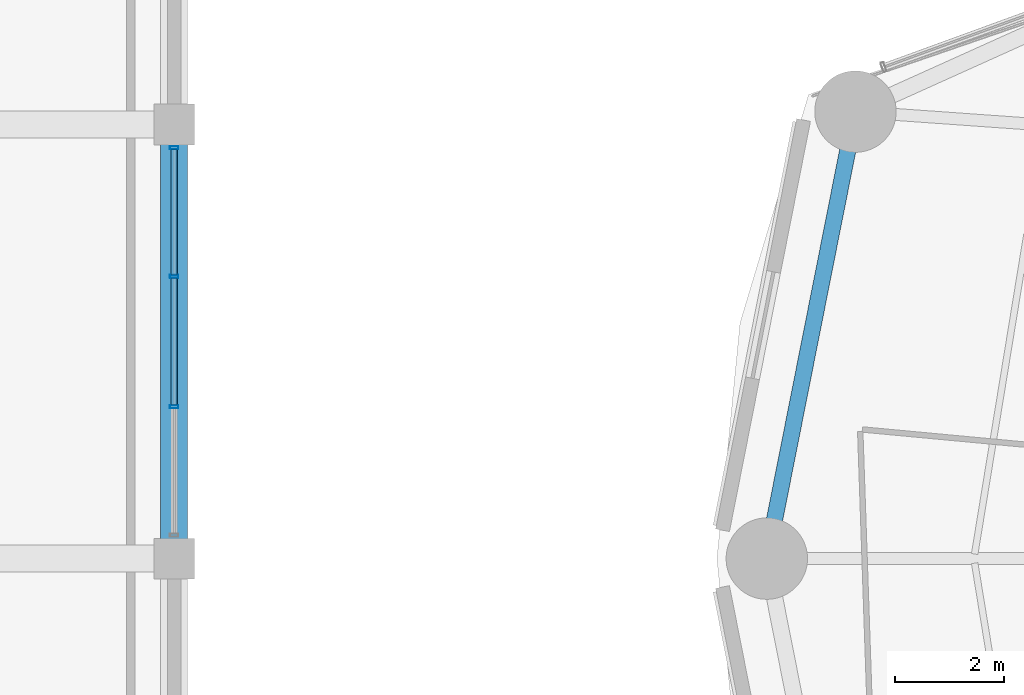
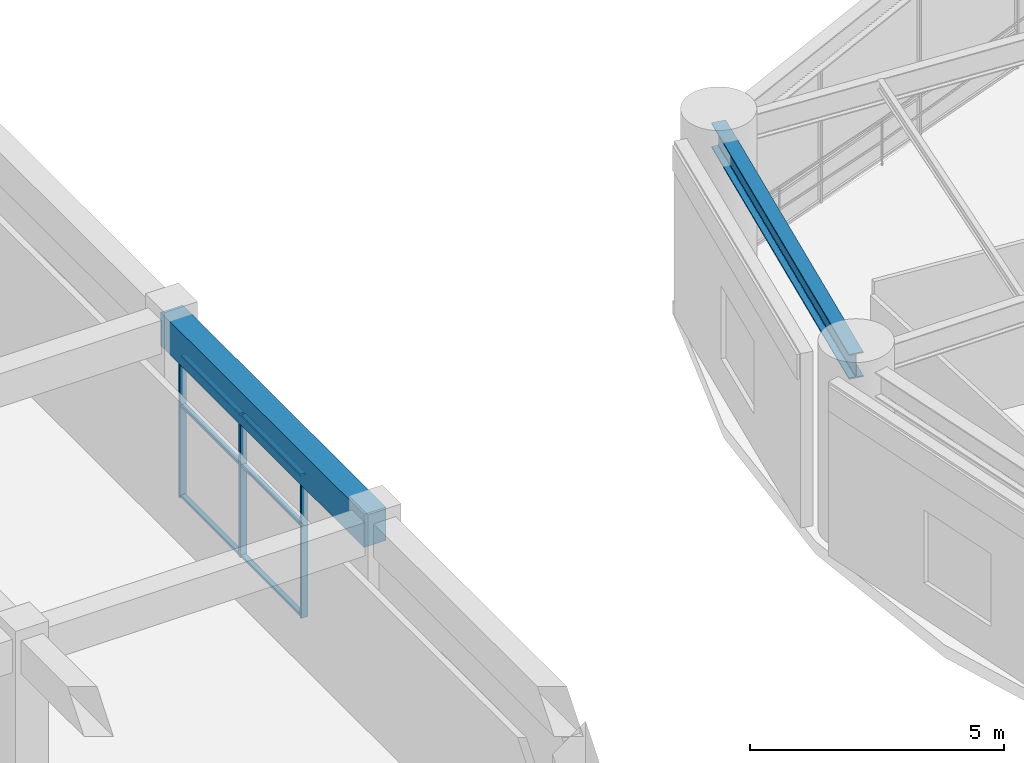
# One storey, part 14 of 55: 9 members, 2 beams, 1 element without a shape of its own.
"""IFC4 building model written with IfcOpenShell, lengths in metres."""

from ifc_helpers import new_model, si_unit, direction, frame, origin, origin_2d, place, context, subcontext, project, spatial, rectangle, hollow_rectangle, i_section, extrude, material, layer, layer_set, material_profile, profile_set, type_object, element, aggregate, save


model = new_model("IFC4")

# Units and contexts
model_context = context("Model", 3, precision=1e-05, world=origin(), true_north=direction((0.0, 1.0)))
body_context = subcontext(model_context, "Body", "Model", "MODEL_VIEW")
ifc_project = project(units=[si_unit("LENGTHUNIT", "METRE"), si_unit("AREAUNIT", "SQUARE_METRE"), si_unit("VOLUMEUNIT", "CUBIC_METRE"), si_unit("PLANEANGLEUNIT", "RADIAN"), si_unit("MASSUNIT", "GRAM", prefix="KILO")], contexts=[model_context])

# Site, building, storey
site_placement = place(None, origin())
site = spatial("IfcSite", under=ifc_project, at=site_placement, CompositionType="ELEMENT")
building_placement = place(site_placement, origin())
building = spatial("IfcBuilding", under=site, at=building_placement, Name="Kelanora Arch Commons", CompositionType="ELEMENT")
storey_placement = place(building_placement, frame((0.0, 0.0, 4.5)))
storey = spatial("IfcBuildingStorey", under=building, at=storey_placement, Name="L01", CompositionType="ELEMENT", Elevation=4.5)

# Beams
ifc_material_1 = material(Name="Concrete C40/50", Category="concrete")
ifc_material_profile_1 = material_profile(ifc_material_1, rectangle(XDim=0.5, YDim=0.800048828125, at=origin_2d()), Name="RCB500x800")
ifc_profile_set_1 = profile_set([ifc_material_profile_1], Name="Concrete C40/50")
beam_type_1 = type_object("IfcBeamType", Name="BM-MKT-RC1", PredefinedType="BEAM", material=ifc_profile_set_1)
beam_1_placement = place(storey_placement, frame((36.0, 58.0, 3.840087890625), z_axis=(0.0, 1.0, 0.0), x_axis=(-1.0, 0.0, 0.0)))
element("IfcBeam", 1, at=beam_1_placement, inside=storey, type_object=beam_type_1, Name="Market/Basement Frame Beam 091 L01", PredefinedType="BEAM", context=body_context, shape_type="SweptSolid", body=[
    extrude(rectangle(XDim=0.5, YDim=0.800048828125, at=origin_2d()), origin(), (0.0, 0.0, 1.0), 8.0),
])
ifc_material_2 = material(Name="Steel S355", Category="steel")
ifc_material_profile_2 = material_profile(ifc_material_2, i_section(OverallWidth=0.300048828125, OverallDepth=0.60009765625, WebThickness=0.015380859375, FlangeThickness=0.030029296875, FilletRadius=0.027099609375, at=origin_2d()), Name="HEB600")
ifc_profile_set_2 = profile_set([ifc_material_profile_2], Name="Steel S355")
beam_type_2 = type_object("IfcBeamType", Name="BM-SPN-Z1", PredefinedType="SPANDREL", material=ifc_profile_set_2)
beam_2_placement = place(storey_placement, frame((48.552978515625, 66.23583984375, 3.89990234375), z_axis=(-0.194499827256, -0.980902552345, 0.0), x_axis=(0.980902552345, -0.194499827256, 0.0)))
element("IfcBeam", 2, at=beam_2_placement, inside=storey, type_object=beam_type_2, Name="Perimeter Spandrel Beam BS-16 L01", PredefinedType="SPANDREL", context=body_context, shape_type="SweptSolid", body=[
    extrude(i_section(OverallWidth=0.300048828125, OverallDepth=0.60009765625, WebThickness=0.015380859375, FlangeThickness=0.030029296875, FilletRadius=0.027099609375, at=origin_2d()), origin(), (0.0, 0.0, 1.0), 8.396240234375),
])

# Curtain wall, members
ifc_material_3 = material(Name="Terracotta ceramic-fritted low-E glass and aluminium", Category="masonry")
ifc_layer = layer(ifc_material_3, 0.16796875)
ifc_layer_set = layer_set([ifc_layer], Name="Terracotta ceramic-fritted low-E glass and aluminium")
curtain_wall_type = type_object("IfcCurtainWallType", Name="CW-SYS-07", PredefinedType="NOTDEFINED", material=ifc_layer_set)
curtain_wall_placement = place(storey_placement, origin())
curtain_wall = element("IfcCurtainWall", 3, at=curtain_wall_placement, inside=storey, type_object=curtain_wall_type, Name="Market Hall Arcade Curtain Wall L01-27", PredefinedType="NOTDEFINED")
ifc_material_4 = material(Name="Powder-coated aluminium terracotta", Category="masonry")
ifc_material_profile_3 = material_profile(ifc_material_4, hollow_rectangle(XDim=0.159912109375, YDim=0.06005859375, WallThickness=0.0048828125, InnerFilletRadius=0.0048828125, OuterFilletRadius=0.010009765625, at=origin_2d()), Name="CWM160x60")
ifc_profile_set_3 = profile_set([ifc_material_profile_3], Name="Powder-coated aluminium terracotta")
member_type_1 = type_object("IfcMemberType", Name="CWM-STD", PredefinedType="MULLION", material=ifc_profile_set_3)
member_1_placement = place(storey_placement, frame((36.0, 60.800048828125, 0.0), z_axis=(0.0, 0.0, 1.0), x_axis=(-1.0, 0.0, 0.0)))
member_1 = element("IfcMember", 4, at=member_1_placement, type_object=member_type_1, Name="CW-07 mullion 2", PredefinedType="MULLION", context=body_context, shape_type="SweptSolid", body=[
    extrude(hollow_rectangle(XDim=0.159912109375, YDim=0.06005859375, WallThickness=0.0048828125, InnerFilletRadius=0.0048828125, OuterFilletRadius=0.010009765625, at=origin_2d()), origin(), (0.0, 0.0, 1.0), 3.419921875),
])
member_2_placement = place(storey_placement, frame((36.0, 63.199951171875, 0.0), z_axis=(0.0, 0.0, 1.0), x_axis=(-1.0, 0.0, 0.0)))
member_2 = element("IfcMember", 5, at=member_2_placement, type_object=member_type_1, Name="CW-07 mullion 3", PredefinedType="MULLION", context=body_context, shape_type="SweptSolid", body=[
    extrude(hollow_rectangle(XDim=0.159912109375, YDim=0.06005859375, WallThickness=0.0048828125, InnerFilletRadius=0.0048828125, OuterFilletRadius=0.010009765625, at=origin_2d()), origin(), (0.0, 0.0, 1.0), 3.419921875),
])
member_3_placement = place(storey_placement, frame((36.0, 65.570068359375, 0.0), z_axis=(0.0, 0.0, 1.0), x_axis=(-1.0, 0.0, 0.0)))
member_3 = element("IfcMember", 6, at=member_3_placement, type_object=member_type_1, Name="CW-07 mullion 4", PredefinedType="MULLION", context=body_context, shape_type="SweptSolid", body=[
    extrude(hollow_rectangle(XDim=0.159912109375, YDim=0.06005859375, WallThickness=0.0048828125, InnerFilletRadius=0.0048828125, OuterFilletRadius=0.010009765625, at=origin_2d()), origin(), (0.0, 0.0, 1.0), 3.419921875),
])
ifc_material_profile_4 = material_profile(ifc_material_4, hollow_rectangle(XDim=0.1201171875, YDim=0.06005859375, WallThickness=0.0048828125, InnerFilletRadius=0.0048828125, OuterFilletRadius=0.010009765625, at=origin_2d()), Name="CWT120x60")
ifc_profile_set_4 = profile_set([ifc_material_profile_4], Name="Powder-coated aluminium terracotta")
member_type_2 = type_object("IfcMemberType", Name="CWT-STD", PredefinedType="USERDEFINED", material=ifc_profile_set_4)
member_4_placement = place(storey_placement, frame((36.0, 60.830078125, 0.030029296875), z_axis=(0.0, 1.0, 0.0), x_axis=(-1.0, 0.0, 0.0)))
member_4 = element("IfcMember", 7, at=member_4_placement, type_object=member_type_2, Name="CW-07 transom 2.1", ObjectType="TRANSOM", PredefinedType="USERDEFINED", context=body_context, shape_type="SweptSolid", body=[
    extrude(hollow_rectangle(XDim=0.1201171875, YDim=0.06005859375, WallThickness=0.0048828125, InnerFilletRadius=0.0048828125, OuterFilletRadius=0.010009765625, at=origin_2d()), origin(), (0.0, 0.0, 1.0), 2.33984375),
])
member_5_placement = place(storey_placement, frame((36.0, 60.830078125, 2.199951171875), z_axis=(0.0, 1.0, 0.0), x_axis=(-1.0, 0.0, 0.0)))
member_5 = element("IfcMember", 8, at=member_5_placement, type_object=member_type_2, Name="CW-07 transom 2.2", ObjectType="TRANSOM", PredefinedType="USERDEFINED", context=body_context, shape_type="SweptSolid", body=[
    extrude(hollow_rectangle(XDim=0.1201171875, YDim=0.06005859375, WallThickness=0.0048828125, InnerFilletRadius=0.0048828125, OuterFilletRadius=0.010009765625, at=origin_2d()), origin(), (0.0, 0.0, 1.0), 2.33984375),
])
member_6_placement = place(storey_placement, frame((36.0, 60.830078125, 3.389892578125), z_axis=(0.0, 1.0, 0.0), x_axis=(-1.0, 0.0, 0.0)))
member_6 = element("IfcMember", 9, at=member_6_placement, type_object=member_type_2, Name="CW-07 transom 2.3", ObjectType="TRANSOM", PredefinedType="USERDEFINED", context=body_context, shape_type="SweptSolid", body=[
    extrude(hollow_rectangle(XDim=0.1201171875, YDim=0.06005859375, WallThickness=0.0048828125, InnerFilletRadius=0.0048828125, OuterFilletRadius=0.010009765625, at=origin_2d()), origin(), (0.0, 0.0, 1.0), 2.33984375),
])
member_7_placement = place(storey_placement, frame((36.0, 63.22998046875, 0.030029296875), z_axis=(0.0, 1.0, 0.0), x_axis=(-1.0, 0.0, 0.0)))
member_7 = element("IfcMember", 10, at=member_7_placement, type_object=member_type_2, Name="CW-07 transom 3.1", ObjectType="TRANSOM", PredefinedType="USERDEFINED", context=body_context, shape_type="SweptSolid", body=[
    extrude(hollow_rectangle(XDim=0.1201171875, YDim=0.06005859375, WallThickness=0.0048828125, InnerFilletRadius=0.0048828125, OuterFilletRadius=0.010009765625, at=origin_2d()), origin(), (0.0, 0.0, 1.0), 2.31005859375),
])
member_8_placement = place(storey_placement, frame((36.0, 63.22998046875, 2.199951171875), z_axis=(0.0, 1.0, 0.0), x_axis=(-1.0, 0.0, 0.0)))
member_8 = element("IfcMember", 11, at=member_8_placement, type_object=member_type_2, Name="CW-07 transom 3.2", ObjectType="TRANSOM", PredefinedType="USERDEFINED", context=body_context, shape_type="SweptSolid", body=[
    extrude(hollow_rectangle(XDim=0.1201171875, YDim=0.06005859375, WallThickness=0.0048828125, InnerFilletRadius=0.0048828125, OuterFilletRadius=0.010009765625, at=origin_2d()), origin(), (0.0, 0.0, 1.0), 2.31005859375),
])
member_9_placement = place(storey_placement, frame((36.0, 63.22998046875, 3.389892578125), z_axis=(0.0, 1.0, 0.0), x_axis=(-1.0, 0.0, 0.0)))
member_9 = element("IfcMember", 12, at=member_9_placement, type_object=member_type_2, Name="CW-07 transom 3.3", ObjectType="TRANSOM", PredefinedType="USERDEFINED", context=body_context, shape_type="SweptSolid", body=[
    extrude(hollow_rectangle(XDim=0.1201171875, YDim=0.06005859375, WallThickness=0.0048828125, InnerFilletRadius=0.0048828125, OuterFilletRadius=0.010009765625, at=origin_2d()), origin(), (0.0, 0.0, 1.0), 2.31005859375),
])
aggregate(curtain_wall, [member_1, member_2, member_3, member_4, member_5, member_6, member_7, member_8, member_9])

save(model, "model.ifc")
